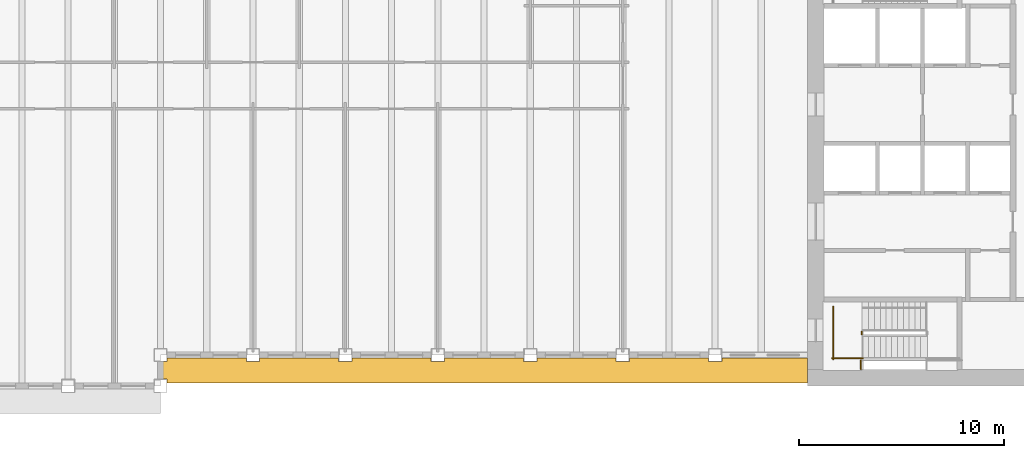
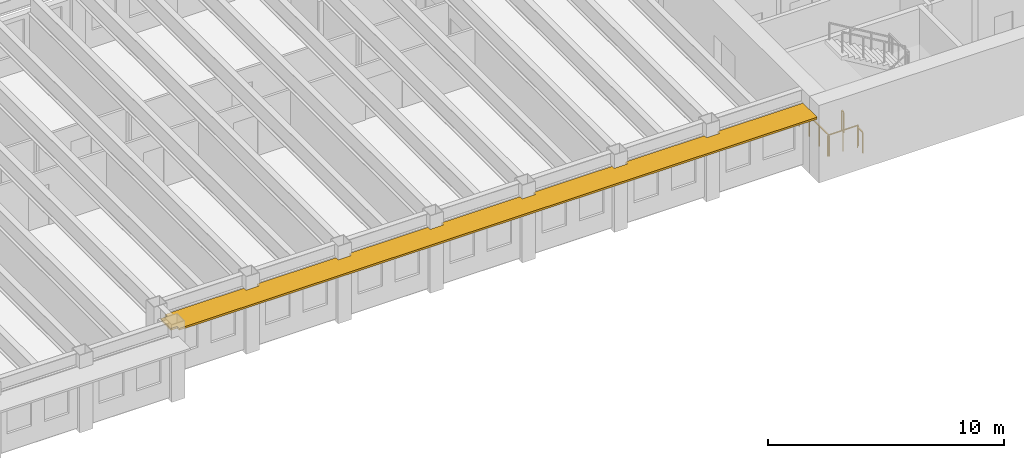
# One storey, part 9 of 12: 4 railings, 1 shading device.
"""IFC4 building model written with IfcOpenShell, lengths in metres."""

from ifc_helpers import new_model, si_unit, direction, frame, origin, origin_2d, place, context, subcontext, project, spatial, polyline, rectangle, outline, extrude, material, layer, layer_set, type_object, element, save


model = new_model("IFC4")

# Units and contexts
model_context = context("Model", 3, precision=1e-05, world=origin(), true_north=direction((0.0, 1.0)))
body_context = subcontext(model_context, "Body", "Model", "MODEL_VIEW")
ifc_project = project(units=[si_unit("LENGTHUNIT", "METRE"), si_unit("AREAUNIT", "SQUARE_METRE"), si_unit("VOLUMEUNIT", "CUBIC_METRE"), si_unit("PLANEANGLEUNIT", "RADIAN"), si_unit("MASSUNIT", "GRAM", prefix="KILO")], contexts=[model_context])

# Site, building, storey
site_placement = place(None, origin())
site = spatial("IfcSite", under=ifc_project, at=site_placement, CompositionType="ELEMENT")
building_placement = place(site_placement, origin())
building = spatial("IfcBuilding", under=site, at=building_placement, Name="Sennacour Bend Tower", CompositionType="ELEMENT")
storey_placement = place(building_placement, frame((0.0, 0.0, 285.0)))
storey = spatial("IfcBuildingStorey", under=building, at=storey_placement, Name="L66", CompositionType="ELEMENT", Elevation=285.0)

# Railings
ifc_material_1 = material(Name="Stainless steel", Category="steel")
railing_type = type_object("IfcRailingType", Name="RL-GUARD-1100", PredefinedType="GUARDRAIL", material=ifc_material_1)
railing_1_placement = place(storey_placement, frame((56.64990234375, 2.5, 0.0)))
element("IfcRailing", 1, at=railing_1_placement, inside=storey, type_object=railing_type, Name="L66 SA1 stair guard 5", PredefinedType="GUARDRAIL", context=body_context, shape_type="SweptSolid", body=[
    extrude(rectangle(XDim=0.048095703125, YDim=0.048095703125, at=origin_2d()), frame((0.0, 0.0, 1.076171875), z_axis=(0.0, 1.0, 0.0), x_axis=(-1.0, 0.0, 0.0)), (0.0, 0.0, 1.0), 0.14990234375),
    extrude(rectangle(XDim=0.0419921875, YDim=0.0419921875, at=origin_2d()), origin(), (0.0, 0.0, 1.0), 1.052001953125),
    extrude(rectangle(XDim=0.0419921875, YDim=0.0419921875, at=origin_2d()), frame((0.0, 0.14990234375, 0.0)), (0.0, 0.0, 1.0), 1.052001953125),
])
railing_2_placement = place(storey_placement, frame((55.199951171875, 1.35009765625, 0.0)))
element("IfcRailing", 2, at=railing_2_placement, inside=storey, type_object=railing_type, Name="L66 SA1 stair guard 6", PredefinedType="GUARDRAIL", context=body_context, shape_type="SweptSolid", body=[
    extrude(rectangle(XDim=0.048095703125, YDim=0.048095703125, at=origin_2d()), frame((0.0, 0.0, 1.076171875), z_axis=(1.0, 0.0, 0.0), x_axis=(0.0, 1.0, 0.0)), (0.0, 0.0, 1.0), 1.5),
    extrude(rectangle(XDim=0.0419921875, YDim=0.0419921875, at=origin_2d()), origin(), (0.0, 0.0, 1.0), 1.052001953125),
    extrude(rectangle(XDim=0.0419921875, YDim=0.0419921875, at=origin_2d()), frame((0.75, 0.0, 0.0)), (0.0, 0.0, 1.0), 1.052001953125),
    extrude(rectangle(XDim=0.0419921875, YDim=0.0419921875, at=origin_2d()), frame((1.5, 0.0, 0.0)), (0.0, 0.0, 1.0), 1.052001953125),
])
railing_3_placement = place(storey_placement, frame((55.25, 1.300048828125, 0.0)))
element("IfcRailing", 3, at=railing_3_placement, inside=storey, type_object=railing_type, Name="L66 SA1 stair guard 7", PredefinedType="GUARDRAIL", context=body_context, shape_type="SweptSolid", body=[
    extrude(rectangle(XDim=0.048095703125, YDim=0.048095703125, at=origin_2d()), frame((0.0, 0.0, 1.076171875), z_axis=(0.0, 1.0, 0.0), x_axis=(-1.0, 0.0, 0.0)), (0.0, 0.0, 1.0), 2.550048828125),
    extrude(rectangle(XDim=0.0419921875, YDim=0.0419921875, at=origin_2d()), origin(), (0.0, 0.0, 1.0), 1.052001953125),
    extrude(rectangle(XDim=0.0419921875, YDim=0.0419921875, at=origin_2d()), frame((0.0, 0.85009765625, 0.0)), (0.0, 0.0, 1.0), 1.052001953125),
    extrude(rectangle(XDim=0.0419921875, YDim=0.0419921875, at=origin_2d()), frame((0.0, 1.699951171875, 0.0)), (0.0, 0.0, 1.0), 1.052001953125),
    extrude(rectangle(XDim=0.0419921875, YDim=0.0419921875, at=origin_2d()), frame((0.0, 2.550048828125, 0.0)), (0.0, 0.0, 1.0), 1.052001953125),
])
railing_4_placement = place(storey_placement, frame((56.60009765625, 1.25, 0.0)))
element("IfcRailing", 4, at=railing_4_placement, inside=storey, type_object=railing_type, Name="L66 SA1 landing edge guard 153", PredefinedType="GUARDRAIL", context=body_context, shape_type="SweptSolid", body=[
    extrude(rectangle(XDim=0.048095703125, YDim=0.048095703125, at=origin_2d()), frame((0.0, 0.0, 1.076171875), z_axis=(0.0, -1.0, 0.0), x_axis=(1.0, 0.0, 0.0)), (0.0, 0.0, 1.0), 0.449951171875),
    extrude(rectangle(XDim=0.0419921875, YDim=0.0419921875, at=origin_2d()), origin(), (0.0, 0.0, 1.0), 1.052001953125),
    extrude(rectangle(XDim=0.0419921875, YDim=0.0419921875, at=origin_2d()), frame((0.0, -0.449951171875, 0.0)), (0.0, 0.0, 1.0), 1.052001953125),
])

# Shading device
ifc_material_2 = material(Name="Bronze anodised aluminium", Category="aluminium")
ifc_layer = layer(ifc_material_2, 0.10009765625, Name="Bronze anodised aluminium", Category="aluminium")
ifc_layer_set = layer_set([ifc_layer], Name="Bronze anodised aluminium")
shading_device_type = type_object("IfcShadingDeviceType", Name="SUNSHADE BAND STRAIGHT", PredefinedType="USERDEFINED", material=ifc_layer_set)
shading_device_placement = place(storey_placement, frame((0.0, 0.0, 3.06201171875)))
element("IfcShadingDevice", 5, at=shading_device_placement, inside=storey, type_object=shading_device_type, Name="Sunshade band L66 A outer face", ObjectType="SUNSHADE", PredefinedType="USERDEFINED", context=body_context, shape_type="SweptSolid", body=[
    extrude(outline(polyline([(26.675048828125, 1.35009765625), (26.675048828125, 1.175048828125), (27.324951171875, 1.175048828125), (27.324951171875, 1.35009765625), (31.175048828125, 1.35009765625), (31.175048828125, 1.175048828125), (31.824951171875, 1.175048828125), (31.824951171875, 1.35009765625), (35.675048828125, 1.35009765625), (35.675048828125, 1.175048828125), (36.324951171875, 1.175048828125), (36.324951171875, 1.35009765625), (40.175048828125, 1.35009765625), (40.175048828125, 1.175048828125), (40.824951171875, 1.175048828125), (40.824951171875, 1.35009765625), (44.675048828125, 1.35009765625), (44.675048828125, 1.175048828125), (45.324951171875, 1.175048828125), (45.324951171875, 1.35009765625), (49.175048828125, 1.35009765625), (49.175048828125, 1.175048828125), (49.824951171875, 1.175048828125), (49.824951171875, 1.35009765625), (54.0, 1.35009765625), (54.0, 0.14990234375), (22.824951171875, 0.14990234375), (22.824951171875, 0.324951171875), (22.5, 0.324951171875), (22.5, 1.175048828125), (22.824951171875, 1.175048828125), (22.824951171875, 1.35009765625), (26.675048828125, 1.35009765625)])), origin(), (0.0, 0.0, 1.0), 0.10009765625),
])

save(model, "model.ifc")
